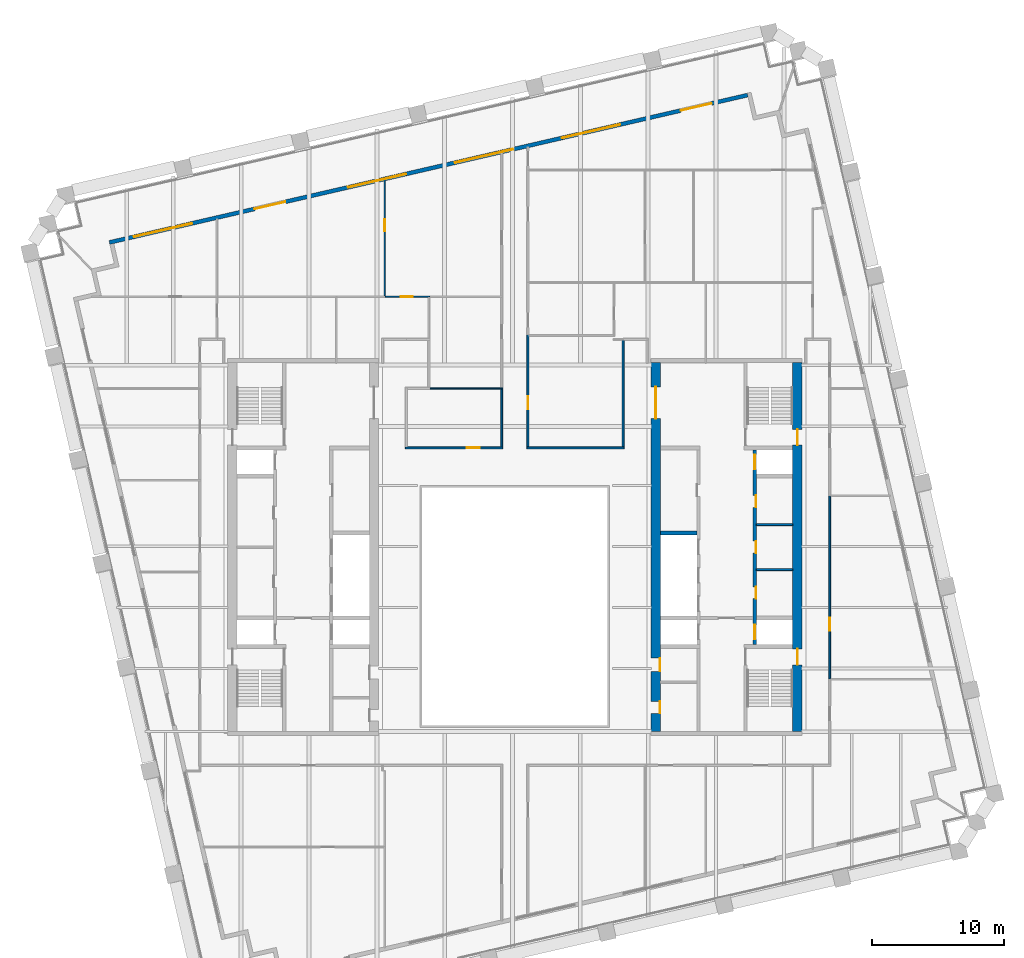
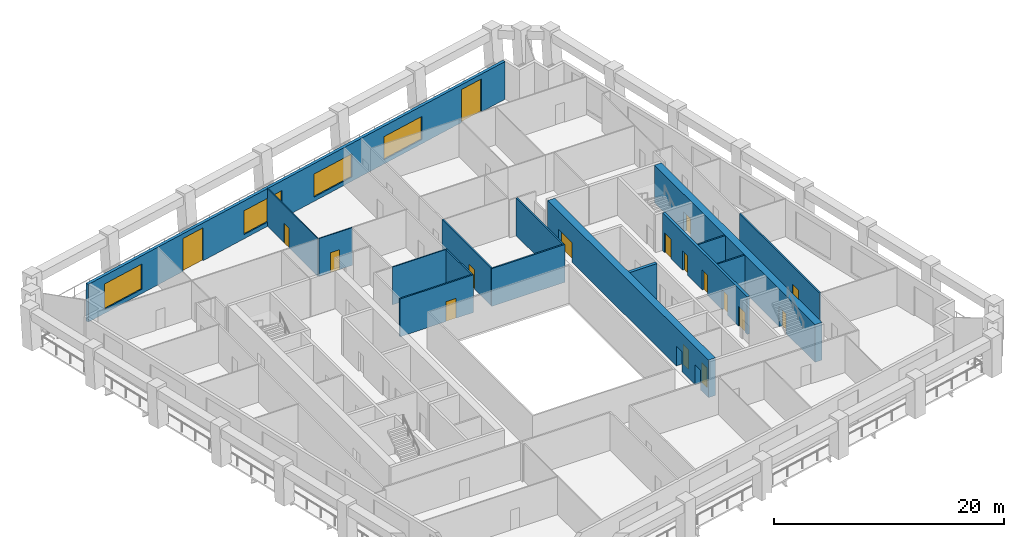
# One storey, part 7 of 11: 17 doors, 16 walls, 4 windows, 21 openings.
"""IFC4 building model written with IfcOpenShell, lengths in metres."""

from ifc_helpers import new_model, si_unit, direction, frame, frame_2d, origin, place, context, subcontext, project, spatial, rectangle, extrude, material, layer, layer_set, type_object, element, fill, save


model = new_model("IFC4")

# Units and contexts
model_context = context("Model", 3, precision=1e-05, world=origin(), true_north=direction((0.0, 1.0)))
body_context = subcontext(model_context, "Body", "Model", "MODEL_VIEW")
ifc_project = project(units=[si_unit("LENGTHUNIT", "METRE"), si_unit("AREAUNIT", "SQUARE_METRE"), si_unit("VOLUMEUNIT", "CUBIC_METRE"), si_unit("PLANEANGLEUNIT", "RADIAN"), si_unit("MASSUNIT", "GRAM", prefix="KILO")], contexts=[model_context])

# Site, building, storey
site_placement = place(None, origin())
site = spatial("IfcSite", under=ifc_project, at=site_placement, CompositionType="ELEMENT")
building_placement = place(site_placement, origin())
building = spatial("IfcBuilding", under=site, at=building_placement, Name="Ogive Exchange Tower", CompositionType="ELEMENT")
storey_placement = place(building_placement, frame((0.0, 0.0, 184.199951171875)))
storey = spatial("IfcBuildingStorey", under=building, at=storey_placement, Name="L40", CompositionType="ELEMENT", Elevation=184.199951171875)

# Walls
ifc_material_1 = material(Name="Gypsum board partition")
ifc_layer_1 = layer(ifc_material_1, 0.14990234375)
ifc_layer_set_1 = layer_set([ifc_layer_1], Name="Core room partition 150 gypsum")
wall_type_1 = type_object("IfcWallType", Name="Core room partition 150 gypsum", PredefinedType="PARTITIONING", material=ifc_layer_set_1)
for number, where, z_axis, x_axis, name in (
    (1, (18.25, 9.800048828125, 0.0), (0.0, 0.0, 1.0), (1.0, 0.0, 0.0), "E row A bay partition 1-1"),
    (2, (18.25, 13.199951171875, 0.0), (0.0, 0.0, 1.0), (1.0, 0.0, 0.0), "E row A bay partition 1-2"),
):
    element("IfcWall", number, at=place(storey_placement, frame(where, z_axis=z_axis, x_axis=x_axis)), inside=storey, type_object=wall_type_1, Name=name, PredefinedType="PARTITIONING", context=body_context, shape_type="SweptSolid", body=[
        extrude(rectangle(XDim=2.75, YDim=0.14990234375, at=frame_2d((1.375, 0.0))), origin(), (0.0, 0.0, 1.0), 4.0),
    ])

# Wall, opening, door
ifc_material_2 = material(Name="Fire partition EI 60 150")
ifc_layer_2 = layer(ifc_material_2, 0.14990234375)
ifc_layer_set_2 = layer_set([ifc_layer_2], Name="Fire partition EI 60 150")
wall_type_2 = type_object("IfcWallType", Name="Fire partition EI 60 150", PredefinedType="PARTITIONING", material=ifc_layer_set_2)
wall_1_placement = place(storey_placement, frame((-8.27490234375, 19.0, 0.0), z_axis=(0.0, 0.0, 1.0), x_axis=(1.0, 0.0, 0.0)))
wall_1 = element("IfcWall", 3, at=wall_1_placement, inside=storey, type_object=wall_type_2, Name="L40-PWL-028", PredefinedType="PARTITIONING", context=body_context, shape_type="SweptSolid", body=[
    extrude(rectangle(XDim=7.35986328125, YDim=0.14990234375, at=frame_2d((3.679931640625, 0.0))), origin(), (0.0, 0.0, 1.0), 4.0),
])
opening_1_placement = place(wall_1_placement, frame((4.635009765625, 0.0, 0.0)))
opening_1 = element("IfcOpeningElement", 4, at=opening_1_placement, cuts=wall_1, Name="Opening L40-I03", PredefinedType="OPENING", context=body_context, shape_type="SweptSolid", body=[
    extrude(rectangle(XDim=1.0, YDim=2.10009765625, at=frame_2d((0.5, 1.050048828125))), frame((0.0, 0.0849609375, 0.0), z_axis=(0.0, -1.0, 0.0), x_axis=(1.0, 0.0, 0.0)), (0.0, 0.0, 1.0), 0.169921875),
])
ifc_material_3 = material(Name="Fire door FD 30S 1000 x 2100")
door_type_1 = type_object("IfcDoorType", Name="Fire door FD 30S 1000 x 2100", OperationType="NOTDEFINED", PredefinedType="DOOR", material=ifc_material_3)
door_1_placement = place(opening_1_placement, origin())
door_1 = element("IfcDoor", 5, at=door_1_placement, inside=storey, type_object=door_type_1, Name="L40-IDR-003", ObjectType="DT3", OperationType="SINGLE_SWING_LEFT", OverallHeight=2.10009765625, OverallWidth=1.0, PredefinedType="DOOR", context=body_context, shape_type="SweptSolid", body=[
    extrude(rectangle(XDim=1.0, YDim=2.10009765625, at=frame_2d((0.5, 1.050048828125))), frame((0.0, 0.02490234375, 0.0), z_axis=(0.0, -1.0, 0.0), x_axis=(1.0, 0.0, 0.0)), (0.0, 0.0, 1.0), 0.050048828125),
])
fill(opening_1, door_1)

# Walls
wall_2_placement = place(storey_placement, frame((-0.989990234375, 19.074951171875, 0.0), z_axis=(0.0, 0.0, 1.0), x_axis=(0.0, 1.0, 0.0)))
element("IfcWall", 6, at=wall_2_placement, inside=storey, type_object=wall_type_2, Name="L40-PWL-038", PredefinedType="PARTITIONING", context=body_context, shape_type="SweptSolid", body=[
    extrude(rectangle(XDim=4.364990234375, YDim=0.14990234375, at=frame_2d((2.1826171875, 0.0))), origin(), (0.0, 0.0, 1.0), 4.0),
])
wall_3_placement = place(storey_placement, frame((0.9150390625, 19.0, 0.0), z_axis=(0.0, 0.0, 1.0), x_axis=(1.0, 0.0, 0.0)))
element("IfcWall", 7, at=wall_3_placement, inside=storey, type_object=wall_type_2, Name="L40-PWL-042", PredefinedType="PARTITIONING", context=body_context, shape_type="SweptSolid", body=[
    extrude(rectangle(XDim=7.349853515625, YDim=0.14990234375, at=frame_2d((3.6748046875, 0.0))), origin(), (0.0, 0.0, 1.0), 4.0),
])

# Wall, opening, door
wall_4_placement = place(storey_placement, frame((0.989990234375, 27.550048828125, 0.0), z_axis=(0.0, 0.0, 1.0), x_axis=(0.0, -1.0, 0.0)))
wall_4 = element("IfcWall", 8, at=wall_4_placement, inside=storey, type_object=wall_type_2, Name="L40-PWL-043", PredefinedType="PARTITIONING", context=body_context, shape_type="SweptSolid", body=[
    extrude(rectangle(XDim=8.47509765625, YDim=0.14990234375, at=frame_2d((4.237548828125, 0.0))), origin(), (0.0, 0.0, 1.0), 4.0),
])
opening_2_placement = place(wall_4_placement, frame((4.64990234375, 0.0, 0.0)))
opening_2 = element("IfcOpeningElement", 9, at=opening_2_placement, cuts=wall_4, Name="Opening L40-I23", PredefinedType="OPENING", context=body_context, shape_type="SweptSolid", body=[
    extrude(rectangle(XDim=1.0, YDim=2.10009765625, at=frame_2d((0.5, 1.050048828125))), frame((0.0, 0.0849609375, 0.0), z_axis=(0.0, -1.0, 0.0), x_axis=(1.0, 0.0, 0.0)), (0.0, 0.0, 1.0), 0.169921875),
])
door_2_placement = place(opening_2_placement, origin())
door_2 = element("IfcDoor", 10, at=door_2_placement, inside=storey, type_object=door_type_1, Name="L40-IDR-023", ObjectType="DT3", OperationType="SINGLE_SWING_LEFT", OverallHeight=2.10009765625, OverallWidth=1.0, PredefinedType="DOOR", context=body_context, shape_type="SweptSolid", body=[
    extrude(rectangle(XDim=1.0, YDim=2.10009765625, at=frame_2d((0.5, 1.050048828125))), frame((0.0, 0.02490234375, 0.0), z_axis=(0.0, -1.0, 0.0), x_axis=(1.0, 0.0, 0.0)), (0.0, 0.0, 1.0), 0.050048828125),
])
fill(opening_2, door_2)

# Wall
wall_5_placement = place(storey_placement, frame((8.18994140625, 19.074951171875, 0.0), z_axis=(0.0, 0.0, 1.0), x_axis=(0.0, 1.0, 0.0)))
element("IfcWall", 11, at=wall_5_placement, inside=storey, type_object=wall_type_2, Name="L40-PWL-053", PredefinedType="PARTITIONING", context=body_context, shape_type="SweptSolid", body=[
    extrude(rectangle(XDim=8.06494140625, YDim=0.14990234375, at=frame_2d((4.032470703125, 0.0))), origin(), (0.0, 0.0, 1.0), 4.0),
])

# Wall, opening, door
wall_6_placement = place(storey_placement, frame((23.800048828125, 15.429931640625, 0.0), z_axis=(0.0, 0.0, 1.0), x_axis=(0.0, -1.0, 0.0)))
wall_6 = element("IfcWall", 12, at=wall_6_placement, inside=storey, type_object=wall_type_2, Name="L40-PWL-080", PredefinedType="PARTITIONING", context=body_context, shape_type="SweptSolid", body=[
    extrude(rectangle(XDim=13.919921875, YDim=0.14990234375, at=frame_2d((6.9599609375, 0.0))), origin(), (0.0, 0.0, 1.0), 4.0),
])
opening_3_placement = place(wall_6_placement, frame((9.27001953125, 0.0, 0.0)))
opening_3 = element("IfcOpeningElement", 13, at=opening_3_placement, cuts=wall_6, Name="Opening L40-I19", PredefinedType="OPENING", context=body_context, shape_type="SweptSolid", body=[
    extrude(rectangle(XDim=1.0, YDim=2.10009765625, at=frame_2d((0.5, 1.050048828125))), frame((0.0, 0.0849609375, 0.0), z_axis=(0.0, -1.0, 0.0), x_axis=(1.0, 0.0, 0.0)), (0.0, 0.0, 1.0), 0.169921875),
])
door_3_placement = place(opening_3_placement, origin())
door_3 = element("IfcDoor", 14, at=door_3_placement, inside=storey, type_object=door_type_1, Name="L40-IDR-019", ObjectType="DT3", OperationType="SINGLE_SWING_LEFT", OverallHeight=2.10009765625, OverallWidth=1.0, PredefinedType="DOOR", context=body_context, shape_type="SweptSolid", body=[
    extrude(rectangle(XDim=1.0, YDim=2.10009765625, at=frame_2d((0.5, 1.050048828125))), frame((0.0, 0.02490234375, 0.0), z_axis=(0.0, -1.0, 0.0), x_axis=(1.0, 0.0, 0.0)), (0.0, 0.0, 1.0), 0.050048828125),
])
fill(opening_3, door_3)

# Wall, openings, doors, windows
ifc_material_4 = material(Name="Precast concrete C40/50", Category="concrete")
ifc_layer_3 = layer(ifc_material_4, 0.300048828125)
ifc_layer_set_3 = layer_set([ifc_layer_3], Name="Limestone-faced wall 300")
wall_type_3 = type_object("IfcWallType", Name="Limestone-faced wall 300", PredefinedType="STANDARD", material=ifc_layer_set_3)
wall_7_placement = place(storey_placement, frame((17.592041015625, 45.6572265625, 0.0), z_axis=(0.0, 0.0, 1.0), x_axis=(-0.974370243697, -0.224950279389, 0.0)))
wall_7 = element("IfcWall", 15, at=wall_7_placement, inside=storey, type_object=wall_type_3, Name="External wall N3", PredefinedType="STANDARD", context=body_context, shape_type="SweptSolid", body=[
    extrude(rectangle(XDim=49.499755859375, YDim=0.300048828125, at=frame_2d((24.75, 0.0))), origin(), (0.0, 0.0, 1.0), 4.0),
])
opening_4_placement = place(wall_7_placement, frame((2.800048828125, 0.0, 0.0)))
opening_4 = element("IfcOpeningElement", 16, at=opening_4_placement, cuts=wall_7, Name="Opening D1", PredefinedType="OPENING", context=body_context, shape_type="SweptSolid", body=[
    extrude(rectangle(XDim=2.39990234375, YDim=3.5, at=frame_2d((1.199951171875, 1.75))), frame((0.0, 0.159912109375, 0.0), z_axis=(0.0, -1.0, 0.0), x_axis=(1.0, 0.0, 0.0)), (0.0, 0.0, 1.0), 0.320068359375),
])
opening_5_placement = place(wall_7_placement, frame((9.89990234375, 0.0, 0.449951171875)))
opening_5 = element("IfcOpeningElement", 17, at=opening_5_placement, cuts=wall_7, Name="Opening W1Q", PredefinedType="OPENING", context=body_context, shape_type="SweptSolid", body=[
    extrude(rectangle(XDim=4.5, YDim=2.449951171875, at=frame_2d((2.25, 1.22509765625))), frame((0.0, 0.159912109375, 0.0), z_axis=(0.0, -1.0, 0.0), x_axis=(1.0, 0.0, 0.0)), (0.0, 0.0, 1.0), 0.320068359375),
])
opening_6_placement = place(wall_7_placement, frame((18.199951171875, 0.0, 0.449951171875)))
opening_6 = element("IfcOpeningElement", 18, at=opening_6_placement, cuts=wall_7, Name="Opening W1Q", PredefinedType="OPENING", context=body_context, shape_type="SweptSolid", body=[
    extrude(rectangle(XDim=4.5, YDim=2.449951171875, at=frame_2d((2.25, 1.22509765625))), frame((0.0, 0.159912109375, 0.0), z_axis=(0.0, -1.0, 0.0), x_axis=(1.0, 0.0, 0.0)), (0.0, 0.0, 1.0), 0.320068359375),
])
opening_7_placement = place(wall_7_placement, frame((26.5, 0.0, 0.449951171875)))
opening_7 = element("IfcOpeningElement", 19, at=opening_7_placement, cuts=wall_7, Name="Opening W1N", PredefinedType="OPENING", context=body_context, shape_type="SweptSolid", body=[
    extrude(rectangle(XDim=4.5, YDim=2.52490234375, at=frame_2d((2.25, 1.262451171875))), frame((0.0, 0.159912109375, 0.0), z_axis=(0.0, -1.0, 0.0), x_axis=(1.0, 0.0, 0.0)), (0.0, 0.0, 1.0), 0.320068359375),
])
opening_8_placement = place(wall_7_placement, frame((35.85009765625, 0.0, 0.0)))
opening_8 = element("IfcOpeningElement", 20, at=opening_8_placement, cuts=wall_7, Name="Opening D1", PredefinedType="OPENING", context=body_context, shape_type="SweptSolid", body=[
    extrude(rectangle(XDim=2.39990234375, YDim=3.5, at=frame_2d((1.199951171875, 1.75))), frame((0.0, 0.159912109375, 0.0), z_axis=(0.0, -1.0, 0.0), x_axis=(1.0, 0.0, 0.0)), (0.0, 0.0, 1.0), 0.320068359375),
])
opening_9_placement = place(wall_7_placement, frame((43.10009765625, 0.0, 0.449951171875)))
opening_9 = element("IfcOpeningElement", 21, at=opening_9_placement, cuts=wall_7, Name="Opening W1J", PredefinedType="OPENING", context=body_context, shape_type="SweptSolid", body=[
    extrude(rectangle(XDim=4.5, YDim=2.675048828125, at=frame_2d((2.25, 1.33740234375))), frame((0.0, 0.159912109375, 0.0), z_axis=(0.0, -1.0, 0.0), x_axis=(1.0, 0.0, 0.0)), (0.0, 0.0, 1.0), 0.320068359375),
])
ifc_material_5 = material(Name="Clear glass in bronze frame", Category="glass")
door_type_2 = type_object("IfcDoorType", Name="Sliding loggia door 2400 x 3500", OperationType="DOUBLE_DOOR_SLIDING", PredefinedType="DOOR", material=ifc_material_5)
door_4_placement = place(opening_4_placement, origin())
door_4 = element("IfcDoor", 22, at=door_4_placement, inside=storey, type_object=door_type_2, Name="Loggia door N00", OperationType="DOUBLE_DOOR_SLIDING", OverallHeight=3.5, OverallWidth=2.39990234375, PredefinedType="DOOR", context=body_context, shape_type="SweptSolid", body=[
    extrude(rectangle(XDim=2.39990234375, YDim=3.5, at=frame_2d((1.199951171875, 1.75))), frame((0.0, 0.02490234375, 0.0), z_axis=(0.0, -1.0, 0.0), x_axis=(1.0, 0.0, 0.0)), (0.0, 0.0, 1.0), 0.050048828125),
])
fill(opening_4, door_4)
door_5_placement = place(opening_8_placement, origin())
door_5 = element("IfcDoor", 23, at=door_5_placement, inside=storey, type_object=door_type_2, Name="Loggia door N04", OperationType="DOUBLE_DOOR_SLIDING", OverallHeight=3.5, OverallWidth=2.39990234375, PredefinedType="DOOR", context=body_context, shape_type="SweptSolid", body=[
    extrude(rectangle(XDim=2.39990234375, YDim=3.5, at=frame_2d((1.199951171875, 1.75))), frame((0.0, 0.02490234375, 0.0), z_axis=(0.0, -1.0, 0.0), x_axis=(1.0, 0.0, 0.0)), (0.0, 0.0, 1.0), 0.050048828125),
])
fill(opening_8, door_5)
window_type_1 = type_object("IfcWindowType", Name="Twin lancet window 4500 x 2450", PartitioningType="DOUBLE_PANEL_VERTICAL", PredefinedType="WINDOW", material=ifc_material_5)
window_1_placement = place(opening_5_placement, origin())
window_1 = element("IfcWindow", 24, at=window_1_placement, inside=storey, type_object=window_type_1, Name="Window N01", OverallHeight=2.449951171875, OverallWidth=4.5, PartitioningType="DOUBLE_PANEL_VERTICAL", PredefinedType="WINDOW", context=body_context, shape_type="SweptSolid", body=[
    extrude(rectangle(XDim=4.5, YDim=2.449951171875, at=frame_2d((2.25, 1.22509765625))), frame((0.0, 0.030029296875, 0.0), z_axis=(0.0, -1.0, 0.0), x_axis=(1.0, 0.0, 0.0)), (0.0, 0.0, 1.0), 0.06005859375),
])
fill(opening_5, window_1)
window_2_placement = place(opening_6_placement, origin())
window_2 = element("IfcWindow", 25, at=window_2_placement, inside=storey, type_object=window_type_1, Name="Window N02", OverallHeight=2.449951171875, OverallWidth=4.5, PartitioningType="DOUBLE_PANEL_VERTICAL", PredefinedType="WINDOW", context=body_context, shape_type="SweptSolid", body=[
    extrude(rectangle(XDim=4.5, YDim=2.449951171875, at=frame_2d((2.25, 1.22509765625))), frame((0.0, 0.030029296875, 0.0), z_axis=(0.0, -1.0, 0.0), x_axis=(1.0, 0.0, 0.0)), (0.0, 0.0, 1.0), 0.06005859375),
])
fill(opening_6, window_2)
window_type_2 = type_object("IfcWindowType", Name="Twin lancet window 4500 x 2525", PartitioningType="DOUBLE_PANEL_VERTICAL", PredefinedType="WINDOW", material=ifc_material_5)
window_3_placement = place(opening_7_placement, origin())
window_3 = element("IfcWindow", 26, at=window_3_placement, inside=storey, type_object=window_type_2, Name="Window N03", OverallHeight=2.52490234375, OverallWidth=4.5, PartitioningType="DOUBLE_PANEL_VERTICAL", PredefinedType="WINDOW", context=body_context, shape_type="SweptSolid", body=[
    extrude(rectangle(XDim=4.5, YDim=2.52490234375, at=frame_2d((2.25, 1.262451171875))), frame((0.0, 0.030029296875, 0.0), z_axis=(0.0, -1.0, 0.0), x_axis=(1.0, 0.0, 0.0)), (0.0, 0.0, 1.0), 0.06005859375),
])
fill(opening_7, window_3)
window_type_3 = type_object("IfcWindowType", Name="Twin lancet window 4500 x 2675", PartitioningType="DOUBLE_PANEL_VERTICAL", PredefinedType="WINDOW", material=ifc_material_5)
window_4_placement = place(opening_9_placement, origin())
window_4 = element("IfcWindow", 27, at=window_4_placement, inside=storey, type_object=window_type_3, Name="Window N05", OverallHeight=2.675048828125, OverallWidth=4.5, PartitioningType="DOUBLE_PANEL_VERTICAL", PredefinedType="WINDOW", context=body_context, shape_type="SweptSolid", body=[
    extrude(rectangle(XDim=4.5, YDim=2.675048828125, at=frame_2d((2.25, 1.33740234375))), frame((0.0, 0.030029296875, 0.0), z_axis=(0.0, -1.0, 0.0), x_axis=(1.0, 0.0, 0.0)), (0.0, 0.0, 1.0), 0.06005859375),
])
fill(opening_9, window_4)

# Wall, opening, door
ifc_material_6 = material(Name="Partition 100 gypsum")
ifc_layer_4 = layer(ifc_material_6, 0.10009765625)
ifc_layer_set_4 = layer_set([ifc_layer_4], Name="Partition 100 gypsum")
wall_type_4 = type_object("IfcWallType", Name="Partition 100 gypsum", PredefinedType="PARTITIONING", material=ifc_layer_set_4)
wall_8_placement = place(storey_placement, frame((-9.830078125, 30.469970703125, 0.0), z_axis=(0.0, 0.0, 1.0), x_axis=(0.0, 1.0, 0.0)))
wall_8 = element("IfcWall", 28, at=wall_8_placement, inside=storey, type_object=wall_type_4, Name="L40-PWL-026", PredefinedType="PARTITIONING", context=body_context, shape_type="SweptSolid", body=[
    extrude(rectangle(XDim=8.784912109375, YDim=0.10009765625, at=frame_2d((4.392578125, 0.0))), origin(), (0.0, 0.0, 1.0), 4.0),
])
opening_10_placement = place(wall_8_placement, frame((4.909912109375, 0.0, 0.0)))
opening_10 = element("IfcOpeningElement", 29, at=opening_10_placement, cuts=wall_8, Name="Opening L40-I08", PredefinedType="OPENING", context=body_context, shape_type="SweptSolid", body=[
    extrude(rectangle(XDim=0.89990234375, YDim=2.10009765625, at=frame_2d((0.449951171875, 1.050048828125))), frame((0.0, 0.06005859375, 0.0), z_axis=(0.0, -1.0, 0.0), x_axis=(1.0, 0.0, 0.0)), (0.0, 0.0, 1.0), 0.1201171875),
])
ifc_material_7 = material(Name="Door 900 x 2100")
door_type_3 = type_object("IfcDoorType", Name="Door 900 x 2100", OperationType="NOTDEFINED", PredefinedType="DOOR", material=ifc_material_7)
door_6_placement = place(opening_10_placement, frame((0.89990234375, 0.0, 0.0), z_axis=(0.0, 0.0, 1.0), x_axis=(-1.0, 0.0, 0.0)))
door_6 = element("IfcDoor", 30, at=door_6_placement, inside=storey, type_object=door_type_3, Name="L40-IDR-008", ObjectType="DT1", OperationType="SINGLE_SWING_RIGHT", OverallHeight=2.10009765625, OverallWidth=0.89990234375, PredefinedType="DOOR", context=body_context, shape_type="SweptSolid", body=[
    extrude(rectangle(XDim=0.89990234375, YDim=2.10009765625, at=frame_2d((0.449951171875, 1.050048828125))), frame((0.0, 0.02490234375, 0.0), z_axis=(0.0, -1.0, 0.0), x_axis=(1.0, 0.0, 0.0)), (0.0, 0.0, 1.0), 0.050048828125),
])
fill(opening_10, door_6)

wall_9_placement = place(storey_placement, frame((-9.780029296875, 30.419921875, 0.0), z_axis=(0.0, 0.0, 1.0), x_axis=(1.0, 0.0, 0.0)))
wall_9 = element("IfcWall", 31, at=wall_9_placement, inside=storey, type_object=wall_type_4, Name="L40-PWL-027", PredefinedType="PARTITIONING", context=body_context, shape_type="SweptSolid", body=[
    extrude(rectangle(XDim=3.330078125, YDim=0.10009765625, at=frame_2d((1.6650390625, 0.0))), origin(), (0.0, 0.0, 1.0), 4.0),
])
opening_11_placement = place(wall_9_placement, frame((1.14990234375, 0.0, 0.0)))
opening_11 = element("IfcOpeningElement", 32, at=opening_11_placement, cuts=wall_9, Name="Opening L40-I05", PredefinedType="OPENING", context=body_context, shape_type="SweptSolid", body=[
    extrude(rectangle(XDim=0.89990234375, YDim=2.10009765625, at=frame_2d((0.449951171875, 1.050048828125))), frame((0.0, 0.06005859375, 0.0), z_axis=(0.0, -1.0, 0.0), x_axis=(1.0, 0.0, 0.0)), (0.0, 0.0, 1.0), 0.1201171875),
])
door_7_placement = place(opening_11_placement, frame((0.89990234375, 0.0, 0.0), z_axis=(0.0, 0.0, 1.0), x_axis=(-1.0, 0.0, 0.0)))
door_7 = element("IfcDoor", 33, at=door_7_placement, inside=storey, type_object=door_type_3, Name="L40-IDR-005", ObjectType="DT1", OperationType="SINGLE_SWING_RIGHT", OverallHeight=2.10009765625, OverallWidth=0.89990234375, PredefinedType="DOOR", context=body_context, shape_type="SweptSolid", body=[
    extrude(rectangle(XDim=0.89990234375, YDim=2.10009765625, at=frame_2d((0.449951171875, 1.050048828125))), frame((0.0, 0.02490234375, 0.0), z_axis=(0.0, -1.0, 0.0), x_axis=(1.0, 0.0, 0.0)), (0.0, 0.0, 1.0), 0.050048828125),
])
fill(opening_11, door_7)

# Wall
wall_10_placement = place(storey_placement, frame((-6.425048828125, 23.489990234375, 0.0), z_axis=(0.0, 0.0, 1.0), x_axis=(1.0, 0.0, 0.0)))
element("IfcWall", 34, at=wall_10_placement, inside=storey, type_object=wall_type_4, Name="L40-PWL-032", PredefinedType="PARTITIONING", context=body_context, shape_type="SweptSolid", body=[
    extrude(rectangle(XDim=5.510009765625, YDim=0.10009765625, at=frame_2d((2.7548828125, 0.0))), origin(), (0.0, 0.0, 1.0), 4.0),
])

# Wall, openings, doors
ifc_material_8 = material(Name="Concrete C70/85", Category="concrete")
ifc_layer_5 = layer(ifc_material_8, 0.25)
ifc_layer_set_5 = layer_set([ifc_layer_5], Name="RC core wall 250 C70/85")
wall_type_5 = type_object("IfcWallType", Name="RC core wall 250 C70/85", PredefinedType="SHEAR", material=ifc_layer_set_5)
wall_11_placement = place(storey_placement, frame((18.125, 4.14990234375, 0.0), z_axis=(0.0, 0.0, 1.0), x_axis=(0.0, 1.0, 0.0)))
wall_11 = element("IfcWall", 35, at=wall_11_placement, inside=storey, type_object=wall_type_5, Name="E row A front wall", PredefinedType="SHEAR", context=body_context, shape_type="SweptSolid", body=[
    extrude(rectangle(XDim=14.7001953125, YDim=0.25, at=frame_2d((7.35009765625, 0.0))), origin(), (0.0, 0.0, 1.0), 4.0),
])
opening_12_placement = place(wall_11_placement, frame((3.4462890625, 0.0, 0.0)))
opening_12 = element("IfcOpeningElement", 36, at=opening_12_placement, cuts=wall_11, Name="Opening L40-C18", PredefinedType="OPENING", context=body_context, shape_type="SweptSolid", body=[
    extrude(rectangle(XDim=0.89990234375, YDim=2.10009765625, at=frame_2d((0.449951171875, 1.050048828125))), frame((0.0, 0.135009765625, 0.0), z_axis=(0.0, -1.0, 0.0), x_axis=(1.0, 0.0, 0.0)), (0.0, 0.0, 1.0), 0.27001953125),
])
opening_13_placement = place(wall_11_placement, frame((6.89990234375, 0.0, 0.0)))
opening_13 = element("IfcOpeningElement", 37, at=opening_13_placement, cuts=wall_11, Name="Opening L40-C19", PredefinedType="OPENING", context=body_context, shape_type="SweptSolid", body=[
    extrude(rectangle(XDim=0.89990234375, YDim=2.10009765625, at=frame_2d((0.449951171875, 1.050048828125))), frame((0.0, 0.135009765625, 0.0), z_axis=(0.0, -1.0, 0.0), x_axis=(1.0, 0.0, 0.0)), (0.0, 0.0, 1.0), 0.27001953125),
])
opening_14_placement = place(wall_11_placement, frame((10.353515625, 0.0, 0.0)))
opening_14 = element("IfcOpeningElement", 38, at=opening_14_placement, cuts=wall_11, Name="Opening L40-C20", PredefinedType="OPENING", context=body_context, shape_type="SweptSolid", body=[
    extrude(rectangle(XDim=0.89990234375, YDim=2.10009765625, at=frame_2d((0.449951171875, 1.050048828125))), frame((0.0, 0.135009765625, 0.0), z_axis=(0.0, -1.0, 0.0), x_axis=(1.0, 0.0, 0.0)), (0.0, 0.0, 1.0), 0.27001953125),
])
opening_15_placement = place(wall_11_placement, frame((0.371337890625, 0.0, 0.0)))
opening_15 = element("IfcOpeningElement", 39, at=opening_15_placement, cuts=wall_11, Name="Opening L40-C21", PredefinedType="OPENING", context=body_context, shape_type="SweptSolid", body=[
    extrude(rectangle(XDim=1.10009765625, YDim=2.10009765625, at=frame_2d((0.550048828125, 1.050048828125))), frame((0.0, 0.135009765625, 0.0), z_axis=(0.0, -1.0, 0.0), x_axis=(1.0, 0.0, 0.0)), (0.0, 0.0, 1.0), 0.27001953125),
])
opening_16_placement = place(wall_11_placement, frame((13.228515625, 0.0, 0.0)))
opening_16 = element("IfcOpeningElement", 40, at=opening_16_placement, cuts=wall_11, Name="Opening L40-C22", PredefinedType="OPENING", context=body_context, shape_type="SweptSolid", body=[
    extrude(rectangle(XDim=1.10009765625, YDim=2.10009765625, at=frame_2d((0.550048828125, 1.050048828125))), frame((0.0, 0.135009765625, 0.0), z_axis=(0.0, -1.0, 0.0), x_axis=(1.0, 0.0, 0.0)), (0.0, 0.0, 1.0), 0.27001953125),
])
ifc_material_9 = material(Name="Timber fire door", Category="wood")
door_type_4 = type_object("IfcDoorType", Name="Core room door FD30S 900 x 2100", OperationType="NOTDEFINED", PredefinedType="DOOR", material=ifc_material_9)
door_8_placement = place(opening_14_placement, frame((0.89990234375, -0.2001953125, 0.0), z_axis=(0.0, 0.0, 1.0), x_axis=(-1.0, 0.0, 0.0)))
door_8 = element("IfcDoor", 41, at=door_8_placement, inside=storey, type_object=door_type_4, Name="Core room door", ObjectType="CD6", OperationType="SINGLE_SWING_RIGHT", OverallHeight=2.10009765625, OverallWidth=0.89990234375, PredefinedType="DOOR", context=body_context, shape_type="SweptSolid", body=[
    extrude(rectangle(XDim=0.89990234375, YDim=2.10009765625, at=frame_2d((0.449951171875, 1.050048828125))), frame((0.0, -0.0751953125, 0.0), z_axis=(0.0, -1.0, 0.0), x_axis=(1.0, 0.0, 0.0)), (0.0, 0.0, 1.0), 0.050048828125),
])
fill(opening_14, door_8)
ifc_material_10 = material(Name="Stainless steel", Category="steel")
door_type_5 = type_object("IfcDoorType", Name="Lift landing door FD90 1100 x 2100", OperationType="SLIDING_TO_LEFT", PredefinedType="DOOR", material=ifc_material_10)
door_9_placement = place(opening_15_placement, origin())
door_9 = element("IfcDoor", 42, at=door_9_placement, inside=storey, type_object=door_type_5, Name="Lift landing door FF2", ObjectType="LD", OperationType="SLIDING_TO_LEFT", OverallHeight=2.10009765625, OverallWidth=1.10009765625, PredefinedType="DOOR", context=body_context, shape_type="SweptSolid", body=[
    extrude(rectangle(XDim=1.10009765625, YDim=2.10009765625, at=frame_2d((0.550048828125, 1.050048828125))), frame((0.0, 0.02490234375, 0.0), z_axis=(0.0, -1.0, 0.0), x_axis=(1.0, 0.0, 0.0)), (0.0, 0.0, 1.0), 0.050048828125),
])
fill(opening_15, door_9)
door_10_placement = place(opening_16_placement, origin())
door_10 = element("IfcDoor", 43, at=door_10_placement, inside=storey, type_object=door_type_5, Name="Lift landing door E-SH2", ObjectType="LD", OperationType="SLIDING_TO_LEFT", OverallHeight=2.10009765625, OverallWidth=1.10009765625, PredefinedType="DOOR", context=body_context, shape_type="SweptSolid", body=[
    extrude(rectangle(XDim=1.10009765625, YDim=2.10009765625, at=frame_2d((0.550048828125, 1.050048828125))), frame((0.0, 0.02490234375, 0.0), z_axis=(0.0, -1.0, 0.0), x_axis=(1.0, 0.0, 0.0)), (0.0, 0.0, 1.0), 0.050048828125),
])
fill(opening_16, door_10)
ifc_material_11 = material(Name="Steel fire door", Category="steel")
door_type_6 = type_object("IfcDoorType", Name="Riser door FD60 900 x 2100", OperationType="NOTDEFINED", PredefinedType="DOOR", material=ifc_material_11)
door_11_placement = place(opening_12_placement, frame((0.89990234375, -0.2001953125, 0.0), z_axis=(0.0, 0.0, 1.0), x_axis=(-1.0, 0.0, 0.0)))
door_11 = element("IfcDoor", 44, at=door_11_placement, inside=storey, type_object=door_type_6, Name="Riser door", ObjectType="CD2", OperationType="SINGLE_SWING_LEFT", OverallHeight=2.10009765625, OverallWidth=0.89990234375, PredefinedType="DOOR", context=body_context, shape_type="SweptSolid", body=[
    extrude(rectangle(XDim=0.89990234375, YDim=2.10009765625, at=frame_2d((0.449951171875, 1.050048828125))), frame((0.0, -0.0751953125, 0.0), z_axis=(0.0, -1.0, 0.0), x_axis=(1.0, 0.0, 0.0)), (0.0, 0.0, 1.0), 0.050048828125),
])
fill(opening_12, door_11)
door_12_placement = place(opening_13_placement, frame((0.89990234375, -0.2001953125, 0.0), z_axis=(0.0, 0.0, 1.0), x_axis=(-1.0, 0.0, 0.0)))
door_12 = element("IfcDoor", 45, at=door_12_placement, inside=storey, type_object=door_type_6, Name="Riser door", ObjectType="CD2", OperationType="SINGLE_SWING_LEFT", OverallHeight=2.10009765625, OverallWidth=0.89990234375, PredefinedType="DOOR", context=body_context, shape_type="SweptSolid", body=[
    extrude(rectangle(XDim=0.89990234375, YDim=2.10009765625, at=frame_2d((0.449951171875, 1.050048828125))), frame((0.0, -0.0751953125, 0.0), z_axis=(0.0, -1.0, 0.0), x_axis=(1.0, 0.0, 0.0)), (0.0, 0.0, 1.0), 0.050048828125),
])
fill(opening_13, door_12)

# Wall
ifc_layer_6 = layer(ifc_material_8, 0.300048828125)
ifc_layer_set_6 = layer_set([ifc_layer_6], Name="RC core wall 300 C70/85")
wall_type_6 = type_object("IfcWallType", Name="RC core wall 300 C70/85", PredefinedType="SHEAR", material=ifc_layer_set_6)
wall_12_placement = place(storey_placement, frame((11.0, 12.5712890625, 0.0), z_axis=(0.0, 0.0, 1.0), x_axis=(1.0, 0.0, 0.0)))
element("IfcWall", 46, at=wall_12_placement, inside=storey, type_object=wall_type_6, Name="E row B divider 4", PredefinedType="SHEAR", context=body_context, shape_type="SweptSolid", body=[
    extrude(rectangle(XDim=2.75, YDim=0.300048828125, at=frame_2d((1.375, 0.0))), origin(), (0.0, 0.0, 1.0), 4.0),
])

# Wall, openings, doors
ifc_layer_7 = layer(ifc_material_8, 0.699951171875)
ifc_layer_set_7 = layer_set([ifc_layer_7], Name="RC core wall 700 C70/85")
wall_type_7 = type_object("IfcWallType", Name="RC core wall 700 C70/85", PredefinedType="SHEAR", material=ifc_layer_set_7)
wall_13_placement = place(storey_placement, frame((21.35009765625, -2.449951171875, 0.0), z_axis=(0.0, 0.0, 1.0), x_axis=(0.0, 1.0, 0.0)))
wall_13 = element("IfcWall", 47, at=wall_13_placement, inside=storey, type_object=wall_type_7, Name="E outer wall", PredefinedType="SHEAR", context=body_context, shape_type="SweptSolid", body=[
    extrude(rectangle(XDim=27.89990234375, YDim=0.699951171875, at=frame_2d((13.949951171875, 0.0))), origin(), (0.0, 0.0, 1.0), 4.0),
])
opening_17_placement = place(wall_13_placement, frame((5.050048828125, 0.0, 0.0)))
opening_17 = element("IfcOpeningElement", 48, at=opening_17_placement, cuts=wall_13, Name="Opening L40-C31", PredefinedType="OPENING", context=body_context, shape_type="SweptSolid", body=[
    extrude(rectangle(XDim=1.199951171875, YDim=2.10009765625, at=frame_2d((0.60009765625, 1.050048828125))), frame((0.0, 0.35986328125, 0.0), z_axis=(0.0, -1.0, 0.0), x_axis=(1.0, 0.0, 0.0)), (0.0, 0.0, 1.0), 0.719970703125),
])
opening_18_placement = place(wall_13_placement, frame((21.64990234375, 0.0, 0.0)))
opening_18 = element("IfcOpeningElement", 49, at=opening_18_placement, cuts=wall_13, Name="Opening L40-C33", PredefinedType="OPENING", context=body_context, shape_type="SweptSolid", body=[
    extrude(rectangle(XDim=1.199951171875, YDim=2.10009765625, at=frame_2d((0.60009765625, 1.050048828125))), frame((0.0, 0.35986328125, 0.0), z_axis=(0.0, -1.0, 0.0), x_axis=(1.0, 0.0, 0.0)), (0.0, 0.0, 1.0), 0.719970703125),
])
door_type_7 = type_object("IfcDoorType", Name="Stair door FD90 1200 x 2100", OperationType="NOTDEFINED", PredefinedType="DOOR", material=ifc_material_11)
door_13_placement = place(opening_17_placement, origin())
door_13 = element("IfcDoor", 50, at=door_13_placement, inside=storey, type_object=door_type_7, Name="Stair door", ObjectType="CD5", OperationType="SINGLE_SWING_LEFT", OverallHeight=2.10009765625, OverallWidth=1.199951171875, PredefinedType="DOOR", context=body_context, shape_type="SweptSolid", body=[
    extrude(rectangle(XDim=1.199951171875, YDim=2.10009765625, at=frame_2d((0.60009765625, 1.050048828125))), frame((0.0, 0.02490234375, 0.0), z_axis=(0.0, -1.0, 0.0), x_axis=(1.0, 0.0, 0.0)), (0.0, 0.0, 1.0), 0.050048828125),
])
fill(opening_17, door_13)
door_14_placement = place(opening_18_placement, origin())
door_14 = element("IfcDoor", 51, at=door_14_placement, inside=storey, type_object=door_type_7, Name="Stair door", ObjectType="CD5", OperationType="SINGLE_SWING_RIGHT", OverallHeight=2.10009765625, OverallWidth=1.199951171875, PredefinedType="DOOR", context=body_context, shape_type="SweptSolid", body=[
    extrude(rectangle(XDim=1.199951171875, YDim=2.10009765625, at=frame_2d((0.60009765625, 1.050048828125))), frame((0.0, 0.02490234375, 0.0), z_axis=(0.0, -1.0, 0.0), x_axis=(1.0, 0.0, 0.0)), (0.0, 0.0, 1.0), 0.050048828125),
])
fill(opening_18, door_14)

wall_14_placement = place(storey_placement, frame((10.64990234375, -2.449951171875, 0.0), z_axis=(0.0, 0.0, 1.0), x_axis=(0.0, 1.0, 0.0)))
wall_14 = element("IfcWall", 52, at=wall_14_placement, inside=storey, type_object=wall_type_7, Name="E inner wall", PredefinedType="SHEAR", context=body_context, shape_type="SweptSolid", body=[
    extrude(rectangle(XDim=27.89990234375, YDim=0.699951171875, at=frame_2d((13.949951171875, 0.0))), origin(), (0.0, 0.0, 1.0), 4.0),
])
opening_19_placement = place(wall_14_placement, frame((23.64990234375, 0.0, 0.0)))
opening_19 = element("IfcOpeningElement", 53, at=opening_19_placement, cuts=wall_14, Name="Opening L40-C29", PredefinedType="OPENING", context=body_context, shape_type="SweptSolid", body=[
    extrude(rectangle(XDim=2.39990234375, YDim=2.10009765625, at=frame_2d((1.199951171875, 1.050048828125))), frame((0.0, 0.35986328125, 0.0), z_axis=(0.0, -1.0, 0.0), x_axis=(1.0, 0.0, 0.0)), (0.0, 0.0, 1.0), 0.719970703125),
])
opening_20_placement = place(wall_14_placement, frame((1.387451171875, 0.0, 0.0)))
opening_20 = element("IfcOpeningElement", 54, at=opening_20_placement, cuts=wall_14, Name="Opening L40-C34", PredefinedType="OPENING", context=body_context, shape_type="SweptSolid", body=[
    extrude(rectangle(XDim=0.89990234375, YDim=2.10009765625, at=frame_2d((0.449951171875, 1.050048828125))), frame((0.0, 0.35986328125, 0.0), z_axis=(0.0, -1.0, 0.0), x_axis=(1.0, 0.0, 0.0)), (0.0, 0.0, 1.0), 0.719970703125),
])
opening_21_placement = place(wall_14_placement, frame((4.5625, 0.0, 0.0)))
opening_21 = element("IfcOpeningElement", 55, at=opening_21_placement, cuts=wall_14, Name="Opening L40-C35", PredefinedType="OPENING", context=body_context, shape_type="SweptSolid", body=[
    extrude(rectangle(XDim=1.0, YDim=2.10009765625, at=frame_2d((0.5, 1.050048828125))), frame((0.0, 0.35986328125, 0.0), z_axis=(0.0, -1.0, 0.0), x_axis=(1.0, 0.0, 0.0)), (0.0, 0.0, 1.0), 0.719970703125),
])
door_type_8 = type_object("IfcDoorType", Name="Accessible WC door FD30S 1000 x 2100", OperationType="NOTDEFINED", PredefinedType="DOOR", material=ifc_material_9)
door_15_placement = place(opening_21_placement, frame((1.0, -0.64990234375, 0.0), z_axis=(0.0, 0.0, 1.0), x_axis=(-1.0, 0.0, 0.0)))
door_15 = element("IfcDoor", 56, at=door_15_placement, inside=storey, type_object=door_type_8, Name="Accessible WC door", ObjectType="CD7", OperationType="SINGLE_SWING_RIGHT", OverallHeight=2.10009765625, OverallWidth=1.0, PredefinedType="DOOR", context=body_context, shape_type="SweptSolid", body=[
    extrude(rectangle(XDim=1.0, YDim=2.10009765625, at=frame_2d((0.5, 1.050048828125))), frame((0.0, -0.2998046875, 0.0), z_axis=(0.0, -1.0, 0.0), x_axis=(1.0, 0.0, 0.0)), (0.0, 0.0, 1.0), 0.050048828125),
])
fill(opening_21, door_15)
door_16_placement = place(opening_20_placement, frame((0.89990234375, -0.64990234375, 0.0), z_axis=(0.0, 0.0, 1.0), x_axis=(-1.0, 0.0, 0.0)))
door_16 = element("IfcDoor", 57, at=door_16_placement, inside=storey, type_object=door_type_4, Name="Core room door", ObjectType="CD6", OperationType="SINGLE_SWING_RIGHT", OverallHeight=2.10009765625, OverallWidth=0.89990234375, PredefinedType="DOOR", context=body_context, shape_type="SweptSolid", body=[
    extrude(rectangle(XDim=0.89990234375, YDim=2.10009765625, at=frame_2d((0.449951171875, 1.050048828125))), frame((0.0, -0.2998046875, 0.0), z_axis=(0.0, -1.0, 0.0), x_axis=(1.0, 0.0, 0.0)), (0.0, 0.0, 1.0), 0.050048828125),
])
fill(opening_20, door_16)
ifc_material_12 = material(Name="Glazed steel fire door", Category="steel")
door_type_9 = type_object("IfcDoorType", Name="Lift lobby double door FD60 2400 x 2100", OperationType="DOUBLE_DOOR_SINGLE_SWING", PredefinedType="DOOR", material=ifc_material_12)
door_17_placement = place(opening_19_placement, origin())
door_17 = element("IfcDoor", 58, at=door_17_placement, inside=storey, type_object=door_type_9, Name="Lift lobby double door", ObjectType="CD4", OperationType="DOUBLE_DOOR_SINGLE_SWING", OverallHeight=2.10009765625, OverallWidth=2.39990234375, PredefinedType="DOOR", context=body_context, shape_type="SweptSolid", body=[
    extrude(rectangle(XDim=2.39990234375, YDim=2.10009765625, at=frame_2d((1.199951171875, 1.050048828125))), frame((0.0, 0.02490234375, 0.0), z_axis=(0.0, -1.0, 0.0), x_axis=(1.0, 0.0, 0.0)), (0.0, 0.0, 1.0), 0.050048828125),
])
fill(opening_19, door_17)

save(model, "model.ifc")
